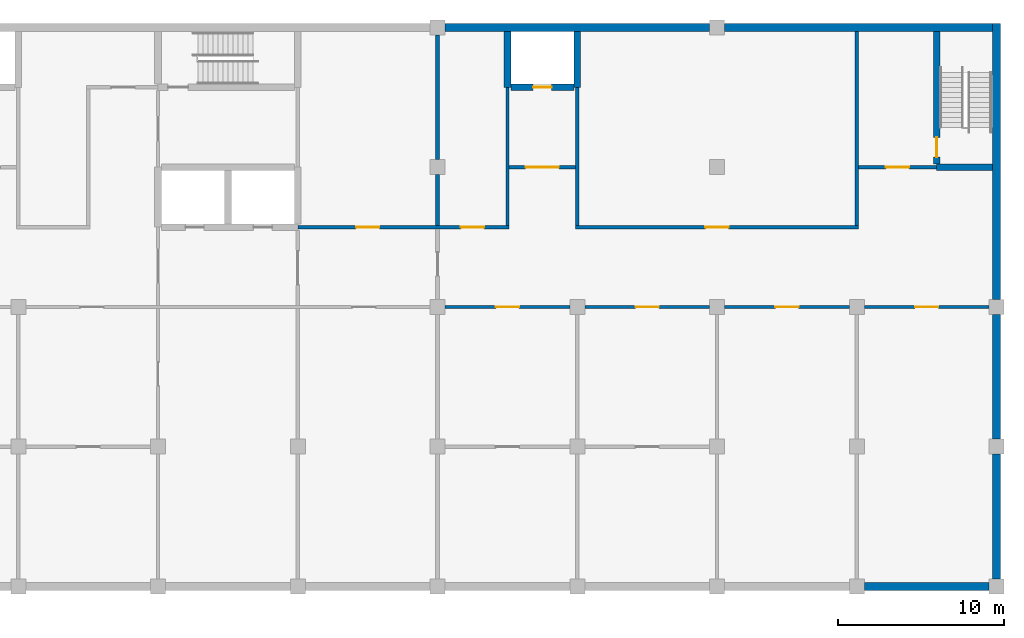
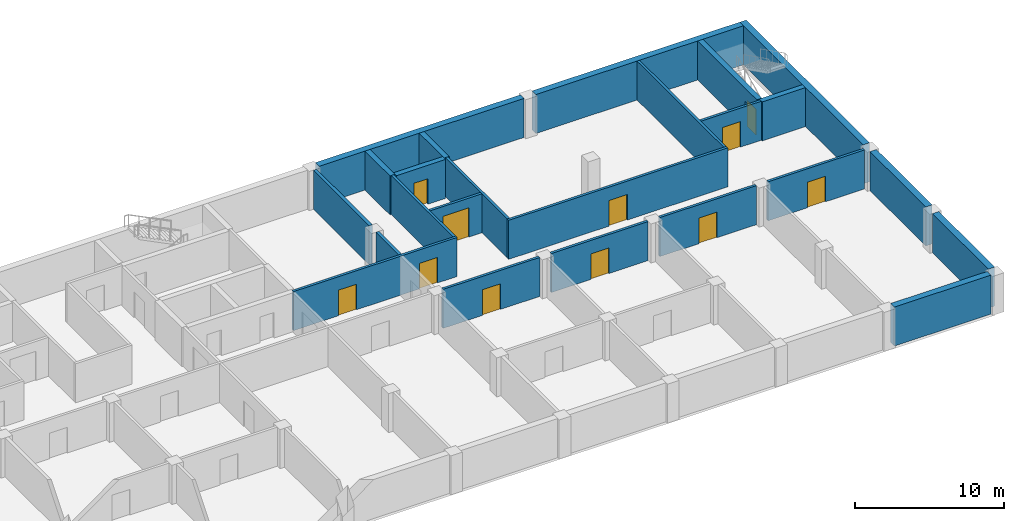
# One storey, part 6 of 12: 24 walls, 11 doors, 11 openings.
"""IFC4 building model written with IfcOpenShell, lengths in metres."""

from ifc_helpers import new_model, si_unit, direction, frame, frame_2d, origin, place, context, subcontext, project, spatial, rectangle, extrude, material, layer, layer_set, type_object, element, fill, save


model = new_model("IFC4")

# Units and contexts
model_context = context("Model", 3, precision=1e-05, world=origin(), true_north=direction((0.0, 1.0)))
body_context = subcontext(model_context, "Body", "Model", "MODEL_VIEW")
ifc_project = project(units=[si_unit("LENGTHUNIT", "METRE"), si_unit("AREAUNIT", "SQUARE_METRE"), si_unit("VOLUMEUNIT", "CUBIC_METRE"), si_unit("PLANEANGLEUNIT", "RADIAN"), si_unit("MASSUNIT", "GRAM", prefix="KILO")], contexts=[model_context])

# Site, building, storey
site_placement = place(None, origin())
site = spatial("IfcSite", under=ifc_project, at=site_placement, CompositionType="ELEMENT")
building_placement = place(site_placement, origin())
building = spatial("IfcBuilding", under=site, at=building_placement, Name="Yavir Park General Hospital", CompositionType="ELEMENT")
storey_placement = place(building_placement, frame((0.0, 0.0, -11.39990234375)))
storey = spatial("IfcBuildingStorey", under=building, at=storey_placement, Name="B3", CompositionType="ELEMENT", Elevation=-11.39990234375)

# Walls
ifc_material_1 = material(Name="Concrete C30/37", Category="concrete")
ifc_layer_1 = layer(ifc_material_1, 0.25)
ifc_layer_set_1 = layer_set([ifc_layer_1], Name="Concrete C30/37")
wall_type_1 = type_object("IfcWallType", Name="Compartment fire wall 250, REI 150", PredefinedType="SOLIDWALL", material=ifc_layer_set_1)
wall_1_placement = place(storey_placement, frame((134.39990234375, 21.699951171875, 0.0), z_axis=(0.0, 0.0, 1.0), x_axis=(0.0, 1.0, 0.0)))
element("IfcWall", 1, at=wall_1_placement, inside=storey, type_object=wall_type_1, Name="FW25 B3-130", PredefinedType="SOLIDWALL", context=body_context, shape_type="SweptSolid", body=[
    extrude(rectangle(XDim=3.050048828125, YDim=0.25, at=frame_2d((1.52490234375, 0.0))), origin(), (0.0, 0.0, 1.0), 3.199951171875),
])
wall_2_placement = place(storey_placement, frame((134.39990234375, 25.64990234375, 0.0), z_axis=(0.0, 0.0, 1.0), x_axis=(0.0, 1.0, 0.0)))
element("IfcWall", 2, at=wall_2_placement, inside=storey, type_object=wall_type_1, Name="FW25 B3-131", PredefinedType="SOLIDWALL", context=body_context, shape_type="SweptSolid", body=[
    extrude(rectangle(XDim=7.5, YDim=0.25, at=frame_2d((3.75, 0.0))), origin(), (0.0, 0.0, 1.0), 3.199951171875),
])

# Wall, opening, door
ifc_material_2 = material(Name="Double gypsum board fire partition on steel studs", Category="steel")
ifc_layer_2 = layer(ifc_material_2, 0.199951171875)
ifc_layer_set_2 = layer_set([ifc_layer_2], Name="Double gypsum board fire partition on steel studs")
wall_type_2 = type_object("IfcWallType", Name="Fire-rated partition 200, EI 60", PredefinedType="PARTITIONING", material=ifc_layer_set_2)
wall_3_placement = place(storey_placement, frame((134.85009765625, 16.800048828125, 0.0), z_axis=(0.0, 0.0, 1.0), x_axis=(1.0, 0.0, 0.0)))
wall_3 = element("IfcWall", 3, at=wall_3_placement, inside=storey, type_object=wall_type_2, Name="FP20 B3-023", PredefinedType="PARTITIONING", context=body_context, shape_type="SweptSolid", body=[
    extrude(rectangle(XDim=7.5, YDim=0.199951171875, at=frame_2d((3.75, 0.0))), origin(), (0.0, 0.0, 1.0), 3.199951171875),
])
opening_1_placement = place(wall_3_placement, frame((3.050048828125, 0.0, 0.0)))
opening_1 = element("IfcOpeningElement", 4, at=opening_1_placement, cuts=wall_3, Name="Opening B3.D026", PredefinedType="OPENING", context=body_context, shape_type="SweptSolid", body=[
    extrude(rectangle(XDim=1.39990234375, YDim=2.10009765625, at=frame_2d((0.699951171875, 1.050048828125))), frame((0.0, 0.10986328125, 0.0), z_axis=(0.0, -1.0, 0.0), x_axis=(1.0, 0.0, 0.0)), (0.0, 0.0, 1.0), 0.219970703125),
])
ifc_material_3 = material(Name="Steel frame, fire-resisting timber leaves", Category="steel")
door_type_1 = type_object("IfcDoorType", Name="Double fire door 1400 x 2100, EI 60", OperationType="DOUBLE_DOOR_SINGLE_SWING", PredefinedType="DOOR", material=ifc_material_3)
door_1_placement = place(opening_1_placement, origin())
door_1 = element("IfcDoor", 5, at=door_1_placement, inside=storey, type_object=door_type_1, Name="B3.D026", OperationType="SINGLE_SWING_LEFT", OverallHeight=2.10009765625, OverallWidth=1.39990234375, PredefinedType="DOOR", context=body_context, shape_type="SweptSolid", body=[
    extrude(rectangle(XDim=1.39990234375, YDim=2.10009765625, at=frame_2d((0.699951171875, 1.050048828125))), frame((0.0, 0.02490234375, 0.0), z_axis=(0.0, -1.0, 0.0), x_axis=(1.0, 0.0, 0.0)), (0.0, 0.0, 1.0), 0.050048828125),
])
fill(opening_1, door_1)

wall_4_placement = place(storey_placement, frame((143.25, 16.800048828125, 0.0), z_axis=(0.0, 0.0, 1.0), x_axis=(1.0, 0.0, 0.0)))
wall_4 = element("IfcWall", 6, at=wall_4_placement, inside=storey, type_object=wall_type_2, Name="FP20 B3-024", PredefinedType="PARTITIONING", context=body_context, shape_type="SweptSolid", body=[
    extrude(rectangle(XDim=7.5, YDim=0.199951171875, at=frame_2d((3.75, 0.0))), origin(), (0.0, 0.0, 1.0), 3.199951171875),
])
opening_2_placement = place(wall_4_placement, frame((3.050048828125, 0.0, 0.0)))
opening_2 = element("IfcOpeningElement", 7, at=opening_2_placement, cuts=wall_4, Name="Opening B3.D027", PredefinedType="OPENING", context=body_context, shape_type="SweptSolid", body=[
    extrude(rectangle(XDim=1.39990234375, YDim=2.10009765625, at=frame_2d((0.699951171875, 1.050048828125))), frame((0.0, 0.10986328125, 0.0), z_axis=(0.0, -1.0, 0.0), x_axis=(1.0, 0.0, 0.0)), (0.0, 0.0, 1.0), 0.219970703125),
])
door_2_placement = place(opening_2_placement, origin())
door_2 = element("IfcDoor", 8, at=door_2_placement, inside=storey, type_object=door_type_1, Name="B3.D027", OperationType="SINGLE_SWING_LEFT", OverallHeight=2.10009765625, OverallWidth=1.39990234375, PredefinedType="DOOR", context=body_context, shape_type="SweptSolid", body=[
    extrude(rectangle(XDim=1.39990234375, YDim=2.10009765625, at=frame_2d((0.699951171875, 1.050048828125))), frame((0.0, 0.02490234375, 0.0), z_axis=(0.0, -1.0, 0.0), x_axis=(1.0, 0.0, 0.0)), (0.0, 0.0, 1.0), 0.050048828125),
])
fill(opening_2, door_2)

wall_5_placement = place(storey_placement, frame((151.64990234375, 16.800048828125, 0.0), z_axis=(0.0, 0.0, 1.0), x_axis=(1.0, 0.0, 0.0)))
wall_5 = element("IfcWall", 9, at=wall_5_placement, inside=storey, type_object=wall_type_2, Name="FP20 B3-025", PredefinedType="PARTITIONING", context=body_context, shape_type="SweptSolid", body=[
    extrude(rectangle(XDim=7.5, YDim=0.199951171875, at=frame_2d((3.75, 0.0))), origin(), (0.0, 0.0, 1.0), 3.199951171875),
])
opening_3_placement = place(wall_5_placement, frame((3.050048828125, 0.0, 0.0)))
opening_3 = element("IfcOpeningElement", 10, at=opening_3_placement, cuts=wall_5, Name="Opening B3.D028", PredefinedType="OPENING", context=body_context, shape_type="SweptSolid", body=[
    extrude(rectangle(XDim=1.39990234375, YDim=2.10009765625, at=frame_2d((0.699951171875, 1.050048828125))), frame((0.0, 0.10986328125, 0.0), z_axis=(0.0, -1.0, 0.0), x_axis=(1.0, 0.0, 0.0)), (0.0, 0.0, 1.0), 0.219970703125),
])
door_3_placement = place(opening_3_placement, origin())
door_3 = element("IfcDoor", 11, at=door_3_placement, inside=storey, type_object=door_type_1, Name="B3.D028", OperationType="SINGLE_SWING_LEFT", OverallHeight=2.10009765625, OverallWidth=1.39990234375, PredefinedType="DOOR", context=body_context, shape_type="SweptSolid", body=[
    extrude(rectangle(XDim=1.39990234375, YDim=2.10009765625, at=frame_2d((0.699951171875, 1.050048828125))), frame((0.0, 0.02490234375, 0.0), z_axis=(0.0, -1.0, 0.0), x_axis=(1.0, 0.0, 0.0)), (0.0, 0.0, 1.0), 0.050048828125),
])
fill(opening_3, door_3)

wall_6_placement = place(storey_placement, frame((160.050048828125, 16.800048828125, 0.0), z_axis=(0.0, 0.0, 1.0), x_axis=(1.0, 0.0, 0.0)))
wall_6 = element("IfcWall", 12, at=wall_6_placement, inside=storey, type_object=wall_type_2, Name="FP20 B3-026", PredefinedType="PARTITIONING", context=body_context, shape_type="SweptSolid", body=[
    extrude(rectangle(XDim=7.5, YDim=0.199951171875, at=frame_2d((3.75, 0.0))), origin(), (0.0, 0.0, 1.0), 3.199951171875),
])
opening_4_placement = place(wall_6_placement, frame((3.050048828125, 0.0, 0.0)))
opening_4 = element("IfcOpeningElement", 13, at=opening_4_placement, cuts=wall_6, Name="Opening B3.D029", PredefinedType="OPENING", context=body_context, shape_type="SweptSolid", body=[
    extrude(rectangle(XDim=1.39990234375, YDim=2.10009765625, at=frame_2d((0.699951171875, 1.050048828125))), frame((0.0, 0.10986328125, 0.0), z_axis=(0.0, -1.0, 0.0), x_axis=(1.0, 0.0, 0.0)), (0.0, 0.0, 1.0), 0.219970703125),
])
door_4_placement = place(opening_4_placement, origin())
door_4 = element("IfcDoor", 14, at=door_4_placement, inside=storey, type_object=door_type_1, Name="B3.D029", OperationType="SINGLE_SWING_LEFT", OverallHeight=2.10009765625, OverallWidth=1.39990234375, PredefinedType="DOOR", context=body_context, shape_type="SweptSolid", body=[
    extrude(rectangle(XDim=1.39990234375, YDim=2.10009765625, at=frame_2d((0.699951171875, 1.050048828125))), frame((0.0, 0.02490234375, 0.0), z_axis=(0.0, -1.0, 0.0), x_axis=(1.0, 0.0, 0.0)), (0.0, 0.0, 1.0), 0.050048828125),
])
fill(opening_4, door_4)

# Wall, openings, doors
wall_7_placement = place(storey_placement, frame((126.0, 21.60009765625, 0.0), z_axis=(0.0, 0.0, 1.0), x_axis=(1.0, 0.0, 0.0)))
wall_7 = element("IfcWall", 15, at=wall_7_placement, inside=storey, type_object=wall_type_2, Name="FP20 B3-036", PredefinedType="PARTITIONING", context=body_context, shape_type="SweptSolid", body=[
    extrude(rectangle(XDim=12.699951171875, YDim=0.199951171875, at=frame_2d((6.35009765625, 0.0))), origin(), (0.0, 0.0, 1.0), 3.199951171875),
])
opening_5_placement = place(wall_7_placement, frame((3.5, 0.0, 0.0)))
opening_5 = element("IfcOpeningElement", 16, at=opening_5_placement, cuts=wall_7, Name="Opening B3.D040", PredefinedType="OPENING", context=body_context, shape_type="SweptSolid", body=[
    extrude(rectangle(XDim=1.39990234375, YDim=2.10009765625, at=frame_2d((0.699951171875, 1.050048828125))), frame((0.0, 0.10986328125, 0.0), z_axis=(0.0, -1.0, 0.0), x_axis=(1.0, 0.0, 0.0)), (0.0, 0.0, 1.0), 0.219970703125),
])
opening_6_placement = place(wall_7_placement, frame((9.800048828125, 0.0, 0.0)))
opening_6 = element("IfcOpeningElement", 17, at=opening_6_placement, cuts=wall_7, Name="Opening B3.D041", PredefinedType="OPENING", context=body_context, shape_type="SweptSolid", body=[
    extrude(rectangle(XDim=1.39990234375, YDim=2.10009765625, at=frame_2d((0.699951171875, 1.050048828125))), frame((0.0, 0.10986328125, 0.0), z_axis=(0.0, -1.0, 0.0), x_axis=(1.0, 0.0, 0.0)), (0.0, 0.0, 1.0), 0.219970703125),
])
door_5_placement = place(opening_5_placement, origin())
door_5 = element("IfcDoor", 18, at=door_5_placement, inside=storey, type_object=door_type_1, Name="B3.D040", OperationType="SINGLE_SWING_LEFT", OverallHeight=2.10009765625, OverallWidth=1.39990234375, PredefinedType="DOOR", context=body_context, shape_type="SweptSolid", body=[
    extrude(rectangle(XDim=1.39990234375, YDim=2.10009765625, at=frame_2d((0.699951171875, 1.050048828125))), frame((0.0, 0.02490234375, 0.0), z_axis=(0.0, -1.0, 0.0), x_axis=(1.0, 0.0, 0.0)), (0.0, 0.0, 1.0), 0.050048828125),
])
fill(opening_5, door_5)
door_6_placement = place(opening_6_placement, origin())
door_6 = element("IfcDoor", 19, at=door_6_placement, inside=storey, type_object=door_type_1, Name="B3.D041", OperationType="SINGLE_SWING_RIGHT", OverallHeight=2.10009765625, OverallWidth=1.39990234375, PredefinedType="DOOR", context=body_context, shape_type="SweptSolid", body=[
    extrude(rectangle(XDim=1.39990234375, YDim=2.10009765625, at=frame_2d((0.699951171875, 1.050048828125))), frame((0.0, 0.02490234375, 0.0), z_axis=(0.0, -1.0, 0.0), x_axis=(1.0, 0.0, 0.0)), (0.0, 0.0, 1.0), 0.050048828125),
])
fill(opening_6, door_6)

# Wall, opening, door
wall_8_placement = place(storey_placement, frame((142.699951171875, 21.60009765625, 0.0), z_axis=(0.0, 0.0, 1.0), x_axis=(1.0, 0.0, 0.0)))
wall_8 = element("IfcWall", 20, at=wall_8_placement, inside=storey, type_object=wall_type_2, Name="FP20 B3-037", PredefinedType="PARTITIONING", context=body_context, shape_type="SweptSolid", body=[
    extrude(rectangle(XDim=17.0, YDim=0.199951171875, at=frame_2d((8.5, 0.0))), origin(), (0.0, 0.0, 1.0), 3.199951171875),
])
opening_7_placement = place(wall_8_placement, frame((7.800048828125, 0.0, 0.0)))
opening_7 = element("IfcOpeningElement", 21, at=opening_7_placement, cuts=wall_8, Name="Opening B3.D042", PredefinedType="OPENING", context=body_context, shape_type="SweptSolid", body=[
    extrude(rectangle(XDim=1.39990234375, YDim=2.10009765625, at=frame_2d((0.699951171875, 1.050048828125))), frame((0.0, 0.10986328125, 0.0), z_axis=(0.0, -1.0, 0.0), x_axis=(1.0, 0.0, 0.0)), (0.0, 0.0, 1.0), 0.219970703125),
])
door_7_placement = place(opening_7_placement, origin())
door_7 = element("IfcDoor", 22, at=door_7_placement, inside=storey, type_object=door_type_1, Name="B3.D042", OperationType="SINGLE_SWING_RIGHT", OverallHeight=2.10009765625, OverallWidth=1.39990234375, PredefinedType="DOOR", context=body_context, shape_type="SweptSolid", body=[
    extrude(rectangle(XDim=1.39990234375, YDim=2.10009765625, at=frame_2d((0.699951171875, 1.050048828125))), frame((0.0, 0.02490234375, 0.0), z_axis=(0.0, -1.0, 0.0), x_axis=(1.0, 0.0, 0.0)), (0.0, 0.0, 1.0), 0.050048828125),
])
fill(opening_7, door_7)

wall_9_placement = place(storey_placement, frame((138.699951171875, 25.199951171875, 0.0), z_axis=(0.0, 0.0, 1.0), x_axis=(1.0, 0.0, 0.0)))
wall_9 = element("IfcWall", 23, at=wall_9_placement, inside=storey, type_object=wall_type_2, Name="FP20 B3-046", PredefinedType="PARTITIONING", context=body_context, shape_type="SweptSolid", body=[
    extrude(rectangle(XDim=4.0, YDim=0.199951171875, at=frame_2d((2.0, 0.0))), origin(), (0.0, 0.0, 1.0), 3.199951171875),
])
opening_8_placement = place(wall_9_placement, frame((1.0, 0.0, 0.0)))
opening_8 = element("IfcOpeningElement", 24, at=opening_8_placement, cuts=wall_9, Name="Opening B3.D047", PredefinedType="OPENING", context=body_context, shape_type="SweptSolid", body=[
    extrude(rectangle(XDim=2.0, YDim=2.39990234375, at=frame_2d((1.0, 1.199951171875))), frame((0.0, 0.10986328125, 0.0), z_axis=(0.0, -1.0, 0.0), x_axis=(1.0, 0.0, 0.0)), (0.0, 0.0, 1.0), 0.219970703125),
])
ifc_material_4 = material(Name="Steel frame, fire-resisting leaves with vision panels", Category="steel")
door_type_2 = type_object("IfcDoorType", Name="Double fire door with vision panels 2000 x 2400, EI 60", OperationType="DOUBLE_DOOR_SINGLE_SWING", PredefinedType="DOOR", material=ifc_material_4)
door_8_placement = place(opening_8_placement, origin())
door_8 = element("IfcDoor", 25, at=door_8_placement, inside=storey, type_object=door_type_2, Name="B3.D047", OperationType="SINGLE_SWING_LEFT", OverallHeight=2.39990234375, OverallWidth=2.0, PredefinedType="DOOR", context=body_context, shape_type="SweptSolid", body=[
    extrude(rectangle(XDim=2.0, YDim=2.39990234375, at=frame_2d((1.0, 1.199951171875))), frame((0.0, 0.030029296875, 0.0), z_axis=(0.0, -1.0, 0.0), x_axis=(1.0, 0.0, 0.0)), (0.0, 0.0, 1.0), 0.06005859375),
])
fill(opening_8, door_8)

wall_10_placement = place(storey_placement, frame((159.699951171875, 25.199951171875, 0.0), z_axis=(0.0, 0.0, 1.0), x_axis=(1.0, 0.0, 0.0)))
wall_10 = element("IfcWall", 26, at=wall_10_placement, inside=storey, type_object=wall_type_2, Name="FP20 B3-047", PredefinedType="PARTITIONING", context=body_context, shape_type="SweptSolid", body=[
    extrude(rectangle(XDim=4.699951171875, YDim=0.199951171875, at=frame_2d((2.35009765625, 0.0))), origin(), (0.0, 0.0, 1.0), 3.199951171875),
])
opening_9_placement = place(wall_10_placement, frame((1.64990234375, 0.0, 0.0)))
opening_9 = element("IfcOpeningElement", 27, at=opening_9_placement, cuts=wall_10, Name="Opening B3.D048", PredefinedType="OPENING", context=body_context, shape_type="SweptSolid", body=[
    extrude(rectangle(XDim=1.39990234375, YDim=2.10009765625, at=frame_2d((0.699951171875, 1.050048828125))), frame((0.0, 0.10986328125, 0.0), z_axis=(0.0, -1.0, 0.0), x_axis=(1.0, 0.0, 0.0)), (0.0, 0.0, 1.0), 0.219970703125),
])
ifc_material_5 = material(Name="Steel frame, fire-resisting leaves with vision panels", Category="steel")
door_type_3 = type_object("IfcDoorType", Name="Double fire door with vision panels 1400 x 2100, EI 60", OperationType="DOUBLE_DOOR_SINGLE_SWING", PredefinedType="DOOR", material=ifc_material_5)
door_9_placement = place(opening_9_placement, origin())
door_9 = element("IfcDoor", 28, at=door_9_placement, inside=storey, type_object=door_type_3, Name="B3.D048", OperationType="SINGLE_SWING_LEFT", OverallHeight=2.10009765625, OverallWidth=1.39990234375, PredefinedType="DOOR", context=body_context, shape_type="SweptSolid", body=[
    extrude(rectangle(XDim=1.39990234375, YDim=2.10009765625, at=frame_2d((0.699951171875, 1.050048828125))), frame((0.0, 0.030029296875, 0.0), z_axis=(0.0, -1.0, 0.0), x_axis=(1.0, 0.0, 0.0)), (0.0, 0.0, 1.0), 0.06005859375),
])
fill(opening_9, door_9)

# Walls
for number, where, z_axis, x_axis, name in (
    (29, (138.60009765625, 21.699951171875, 0.0), (0.0, 0.0, 1.0), (0.0, 1.0, 0.0), "FP20 B3-132"),
    (30, (142.800048828125, 21.699951171875, 0.0), (0.0, 0.0, 1.0), (0.0, 1.0, 0.0), "FP20 B3-136"),
):
    element("IfcWall", number, at=place(storey_placement, frame(where, z_axis=z_axis, x_axis=x_axis)), inside=storey, type_object=wall_type_2, Name=name, PredefinedType="PARTITIONING", context=body_context, shape_type="SweptSolid", body=[
        extrude(rectangle(XDim=8.300048828125, YDim=0.199951171875, at=frame_2d((4.14990234375, 0.0))), origin(), (0.0, 0.0, 1.0), 3.199951171875),
    ])
wall_11_placement = place(storey_placement, frame((159.60009765625, 21.699951171875, 0.0), z_axis=(0.0, 0.0, 1.0), x_axis=(0.0, 1.0, 0.0)))
element("IfcWall", 31, at=wall_11_placement, inside=storey, type_object=wall_type_2, Name="FP20 B3-142", PredefinedType="PARTITIONING", context=body_context, shape_type="SweptSolid", body=[
    extrude(rectangle(XDim=11.650146484375, YDim=0.199951171875, at=frame_2d((5.8251953125, 0.0))), origin(), (0.0, 0.0, 1.0), 3.199951171875),
])
ifc_material_6 = material(Name="Concrete C35/45", Category="concrete")
ifc_layer_3 = layer(ifc_material_6, 0.5)
ifc_layer_set_3 = layer_set([ifc_layer_3], Name="Concrete C35/45")
wall_type_3 = type_object("IfcWallType", Name="RC WALL RETAINING 500", PredefinedType="SOLIDWALL", material=ifc_layer_set_3)
wall_12_placement = place(storey_placement, frame((160.050048828125, 0.0, 0.0), z_axis=(0.0, 0.0, 1.0), x_axis=(1.0, 0.0, 0.0)))
element("IfcWall", 32, at=wall_12_placement, inside=storey, type_object=wall_type_3, Name="W:RET:B3:S19", PredefinedType="SOLIDWALL", context=body_context, shape_type="SweptSolid", body=[
    extrude(rectangle(XDim=7.5, YDim=0.5, at=frame_2d((3.75, 0.0))), origin(), (0.0, 0.0, 1.0), 3.199951171875),
])
wall_13_placement = place(storey_placement, frame((134.85009765625, 33.60009765625, 0.0), z_axis=(0.0, 0.0, 1.0), x_axis=(1.0, 0.0, 0.0)))
element("IfcWall", 33, at=wall_13_placement, inside=storey, type_object=wall_type_3, Name="W:RET:B3:N28", PredefinedType="SOLIDWALL", context=body_context, shape_type="SweptSolid", body=[
    extrude(rectangle(XDim=15.89990234375, YDim=0.5, at=frame_2d((7.949951171875, 0.0))), origin(), (0.0, 0.0, 1.0), 3.199951171875),
])
wall_14_placement = place(storey_placement, frame((151.64990234375, 33.60009765625, 0.0), z_axis=(0.0, 0.0, 1.0), x_axis=(1.0, 0.0, 0.0)))
element("IfcWall", 34, at=wall_14_placement, inside=storey, type_object=wall_type_3, Name="W:RET:B3:N29", PredefinedType="SOLIDWALL", context=body_context, shape_type="SweptSolid", body=[
    extrude(rectangle(XDim=16.10009765625, YDim=0.5, at=frame_2d((8.050048828125, 0.0))), origin(), (0.0, 0.0, 1.0), 3.199951171875),
])
for number, where, z_axis, x_axis, name in (
    (35, (168.0, 0.449951171875, 0.0), (0.0, 0.0, 1.0), (0.0, 1.0, 0.0), "W:RET:B3:E33"),
    (36, (168.0, 8.85009765625, 0.0), (0.0, 0.0, 1.0), (0.0, 1.0, 0.0), "W:RET:B3:E34"),
):
    element("IfcWall", number, at=place(storey_placement, frame(where, z_axis=z_axis, x_axis=x_axis)), inside=storey, type_object=wall_type_3, Name=name, PredefinedType="SOLIDWALL", context=body_context, shape_type="SweptSolid", body=[
        extrude(rectangle(XDim=7.5, YDim=0.5, at=frame_2d((3.75, 0.0))), origin(), (0.0, 0.0, 1.0), 3.199951171875),
    ])
wall_15_placement = place(storey_placement, frame((168.0, 17.25, 0.0), z_axis=(0.0, 0.0, 1.0), x_axis=(0.0, 1.0, 0.0)))
element("IfcWall", 37, at=wall_15_placement, inside=storey, type_object=wall_type_3, Name="W:RET:B3:E35", PredefinedType="SOLIDWALL", context=body_context, shape_type="SweptSolid", body=[
    extrude(rectangle(XDim=16.60009765625, YDim=0.5, at=frame_2d((8.300048828125, 0.0))), origin(), (0.0, 0.0, 1.0), 3.199951171875),
])
ifc_material_7 = material(Name="Concrete C35/45", Category="concrete")
ifc_layer_4 = layer(ifc_material_7, 0.39990234375)
ifc_layer_set_4 = layer_set([ifc_layer_4], Name="Concrete C35/45")
wall_type_4 = type_object("IfcWallType", Name="Reinforced concrete core wall 400, REI 150", PredefinedType="SHEAR", material=ifc_layer_set_4)
wall_16_placement = place(storey_placement, frame((164.39990234375, 25.199951171875, 0.0), z_axis=(0.0, 0.0, 1.0), x_axis=(1.0, 0.0, 0.0)))
element("IfcWall", 38, at=wall_16_placement, inside=storey, type_object=wall_type_4, Name="CW40 B3-048", PredefinedType="SHEAR", context=body_context, shape_type="SweptSolid", body=[
    extrude(rectangle(XDim=3.35009765625, YDim=0.39990234375, at=frame_2d((1.675048828125, 0.0))), origin(), (0.0, 0.0, 1.0), 3.199951171875),
])

# Wall, opening, door
wall_17_placement = place(storey_placement, frame((138.800048828125, 30.0, 0.0), z_axis=(0.0, 0.0, 1.0), x_axis=(1.0, 0.0, 0.0)))
wall_17 = element("IfcWall", 39, at=wall_17_placement, inside=storey, type_object=wall_type_4, Name="CW40 B3-054", PredefinedType="SHEAR", context=body_context, shape_type="SweptSolid", body=[
    extrude(rectangle(XDim=3.800048828125, YDim=0.39990234375, at=frame_2d((1.89990234375, 0.0))), origin(), (0.0, 0.0, 1.0), 3.199951171875),
])
opening_10_placement = place(wall_17_placement, frame((1.35009765625, 0.0, 0.0)))
opening_10 = element("IfcOpeningElement", 40, at=opening_10_placement, cuts=wall_17, Name="Opening B3.D055", PredefinedType="OPENING", context=body_context, shape_type="SweptSolid", body=[
    extrude(rectangle(XDim=1.10009765625, YDim=2.10009765625, at=frame_2d((0.550048828125, 1.050048828125))), frame((0.0, 0.2099609375, 0.0), z_axis=(0.0, -1.0, 0.0), x_axis=(1.0, 0.0, 0.0)), (0.0, 0.0, 1.0), 0.419921875),
])
ifc_material_8 = material(Name="Stainless steel landing door panels", Category="steel")
door_type_4 = type_object("IfcDoorType", Name="Lift landing door 1100 x 2100, EI 60", OperationType="SLIDING_TO_LEFT", PredefinedType="DOOR", material=ifc_material_8)
door_10_placement = place(opening_10_placement, origin())
door_10 = element("IfcDoor", 41, at=door_10_placement, inside=storey, type_object=door_type_4, Name="B3.D055", OperationType="SLIDING_TO_LEFT", OverallHeight=2.10009765625, OverallWidth=1.10009765625, PredefinedType="DOOR", context=body_context, shape_type="SweptSolid", body=[
    extrude(rectangle(XDim=1.10009765625, YDim=2.10009765625, at=frame_2d((0.550048828125, 1.050048828125))), frame((0.0, 0.02490234375, 0.0), z_axis=(0.0, -1.0, 0.0), x_axis=(1.0, 0.0, 0.0)), (0.0, 0.0, 1.0), 0.050048828125),
])
fill(opening_10, door_10)

# Walls
for number, where, z_axis, x_axis, name in (
    (42, (138.60009765625, 30.0, 0.0), (0.0, 0.0, 1.0), (0.0, 1.0, 0.0), "CW40 B3-133"),
    (43, (142.800048828125, 30.0, 0.0), (0.0, 0.0, 1.0), (0.0, 1.0, 0.0), "CW40 B3-137"),
):
    element("IfcWall", number, at=place(storey_placement, frame(where, z_axis=z_axis, x_axis=x_axis)), inside=storey, type_object=wall_type_4, Name=name, PredefinedType="SHEAR", context=body_context, shape_type="SweptSolid", body=[
        extrude(rectangle(XDim=3.35009765625, YDim=0.39990234375, at=frame_2d((1.675048828125, 0.0))), origin(), (0.0, 0.0, 1.0), 3.199951171875),
    ])

# Wall, opening, door
wall_18_placement = place(storey_placement, frame((164.39990234375, 25.39990234375, 0.0), z_axis=(0.0, 0.0, 1.0), x_axis=(0.0, 1.0, 0.0)))
wall_18 = element("IfcWall", 44, at=wall_18_placement, inside=storey, type_object=wall_type_4, Name="CW40 B3-143", PredefinedType="SHEAR", context=body_context, shape_type="SweptSolid", body=[
    extrude(rectangle(XDim=7.9501953125, YDim=0.39990234375, at=frame_2d((3.97509765625, 0.0))), origin(), (0.0, 0.0, 1.0), 3.199951171875),
])
opening_11_placement = place(wall_18_placement, frame((0.39990234375, 0.0, 0.0)))
opening_11 = element("IfcOpeningElement", 45, at=opening_11_placement, cuts=wall_18, Name="Opening B3.D070", PredefinedType="OPENING", context=body_context, shape_type="SweptSolid", body=[
    extrude(rectangle(XDim=1.199951171875, YDim=2.10009765625, at=frame_2d((0.60009765625, 1.050048828125))), frame((0.0, 0.2099609375, 0.0), z_axis=(0.0, -1.0, 0.0), x_axis=(1.0, 0.0, 0.0)), (0.0, 0.0, 1.0), 0.419921875),
])
ifc_material_9 = material(Name="Steel frame, fire-resisting timber leaf", Category="steel")
door_type_5 = type_object("IfcDoorType", Name="Fire door 1200 x 2100, EI 60", OperationType="SINGLE_SWING_LEFT", PredefinedType="DOOR", material=ifc_material_9)
door_11_placement = place(opening_11_placement, origin())
door_11 = element("IfcDoor", 46, at=door_11_placement, inside=storey, type_object=door_type_5, Name="B3.D070", OperationType="SINGLE_SWING_LEFT", OverallHeight=2.10009765625, OverallWidth=1.199951171875, PredefinedType="DOOR", context=body_context, shape_type="SweptSolid", body=[
    extrude(rectangle(XDim=1.199951171875, YDim=2.10009765625, at=frame_2d((0.60009765625, 1.050048828125))), frame((0.0, 0.02490234375, 0.0), z_axis=(0.0, -1.0, 0.0), x_axis=(1.0, 0.0, 0.0)), (0.0, 0.0, 1.0), 0.050048828125),
])
fill(opening_11, door_11)

save(model, "model.ifc")
